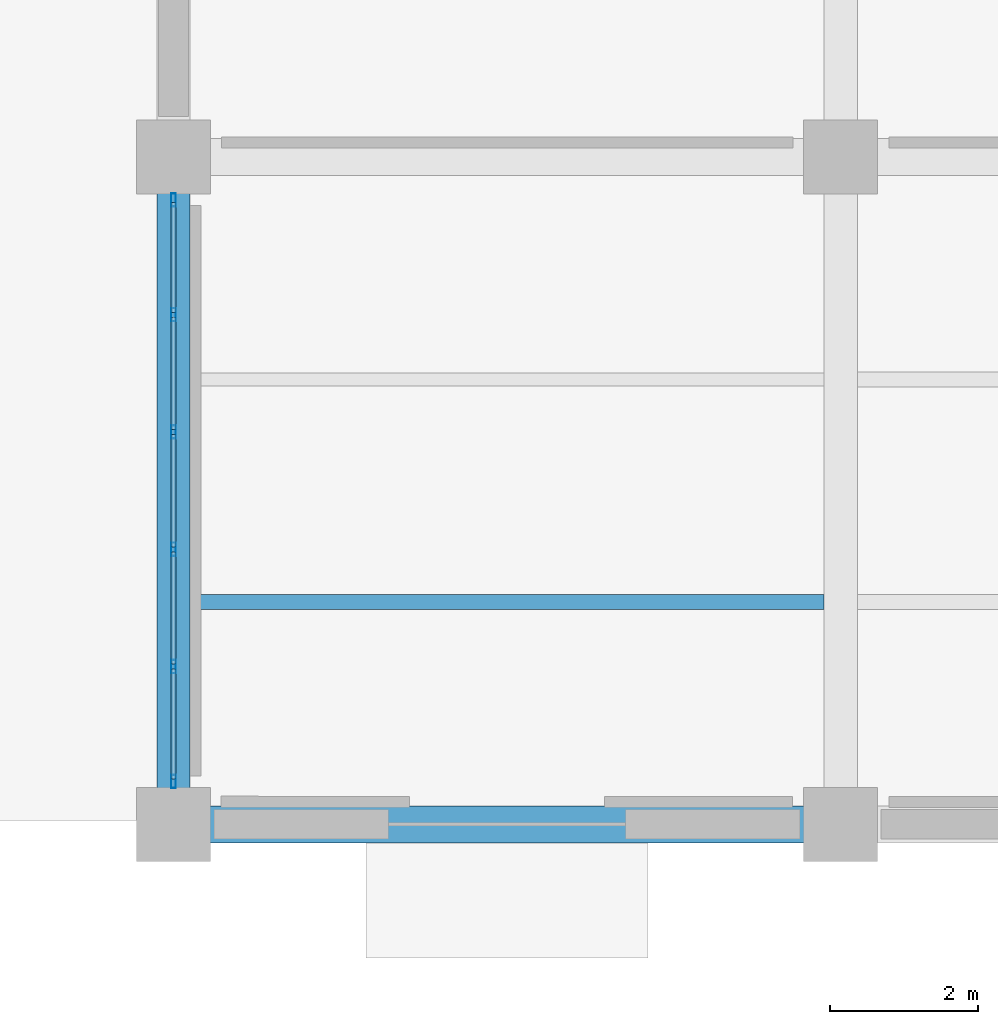
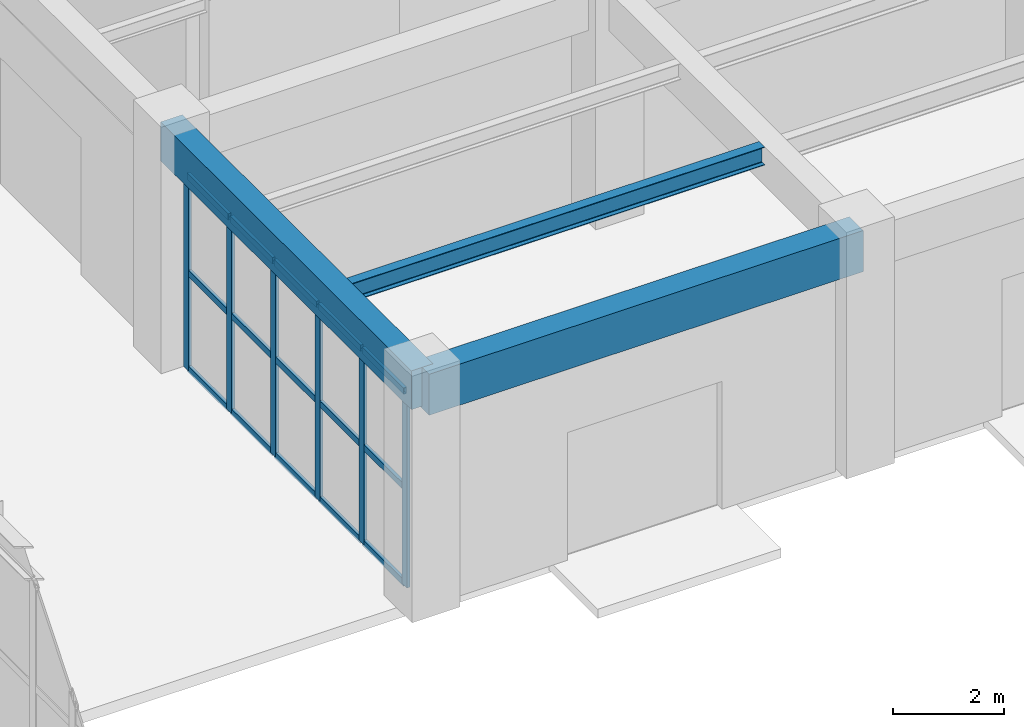
# One storey, part 35 of 140: 21 members, 3 beams, 1 element without a shape of its own.
"""IFC4 building model written with IfcOpenShell, lengths in metres."""

from ifc_helpers import new_model, si_unit, direction, frame, origin, origin_2d, place, context, subcontext, project, spatial, rectangle, hollow_rectangle, i_section, extrude, material, material_profile, profile_set, type_object, element, aggregate, save


model = new_model("IFC4")

# Units and contexts
model_context = context("Model", 3, precision=1e-05, world=origin(), true_north=direction((0.0, 1.0)))
body_context = subcontext(model_context, "Body", "Model", "MODEL_VIEW")
ifc_project = project(units=[si_unit("LENGTHUNIT", "METRE"), si_unit("AREAUNIT", "SQUARE_METRE"), si_unit("VOLUMEUNIT", "CUBIC_METRE"), si_unit("PLANEANGLEUNIT", "RADIAN"), si_unit("MASSUNIT", "GRAM", prefix="KILO")], contexts=[model_context])

# Site, building, storey
site_placement = place(None, origin())
site = spatial("IfcSite", under=ifc_project, at=site_placement, CompositionType="ELEMENT")
building_placement = place(site_placement, origin())
building = spatial("IfcBuilding", under=site, at=building_placement, Name="Haizhuo Lancet Aquarium", CompositionType="ELEMENT")
storey_placement = place(building_placement, origin())
storey = spatial("IfcBuildingStorey", under=building, at=storey_placement, Name="L00", CompositionType="ELEMENT", Elevation=0.0)

# Beams
ifc_material_1 = material(Name="Concrete C40/50", Category="concrete")
ifc_material_profile_1 = material_profile(ifc_material_1, rectangle(XDim=0.449951171875, YDim=0.85009765625, at=origin_2d()), Name="RC-BM 450x850")
ifc_profile_set_1 = profile_set([ifc_material_profile_1], Name="Concrete C40/50")
beam_type_1 = type_object("IfcBeamType", Name="BM-RC-450x850", PredefinedType="BEAM", material=ifc_profile_set_1)
beam_1_placement = place(storey_placement, frame((27.0, -36.0, 4.695068359375), z_axis=(0.0, 1.0, 0.0), x_axis=(-1.0, 0.0, 0.0)))
element("IfcBeam", 1, at=beam_1_placement, inside=storey, type_object=beam_type_1, Name="L00 V3 primary girder BM-L00-V3-001", PredefinedType="BEAM", context=body_context, shape_type="SweptSolid", body=[
    extrude(rectangle(XDim=0.449951171875, YDim=0.85009765625, at=origin_2d()), origin(), (0.0, 0.0, 1.0), 9.0),
])
ifc_material_profile_2 = material_profile(ifc_material_1, rectangle(XDim=0.5, YDim=0.89990234375, at=origin_2d()), Name="RC-BM 500x900")
ifc_profile_set_2 = profile_set([ifc_material_profile_2], Name="Concrete C40/50")
beam_type_2 = type_object("IfcBeamType", Name="BM-RC-500x900", PredefinedType="BEAM", material=ifc_profile_set_2)
beam_2_placement = place(storey_placement, frame((27.0, -36.0, 4.669921875), z_axis=(1.0, 0.0, 0.0), x_axis=(0.0, 1.0, 0.0)))
element("IfcBeam", 2, at=beam_2_placement, inside=storey, type_object=beam_type_2, Name="L00 V3 primary girder BM-L00-V3-002", PredefinedType="BEAM", context=body_context, shape_type="SweptSolid", body=[
    extrude(rectangle(XDim=0.5, YDim=0.89990234375, at=origin_2d()), origin(), (0.0, 0.0, 1.0), 9.0),
])

# Curtain wall, members
ifc_material_2 = material(Name="Aluminium 6063-T6", Category="aluminium")
curtain_wall_type = type_object("IfcCurtainWallType", Name="CWO-7910x4270", PredefinedType="NOTDEFINED", material=ifc_material_2)
curtain_wall_placement = place(storey_placement, origin())
curtain_wall = element("IfcCurtainWall", 3, at=curtain_wall_placement, inside=storey, type_object=curtain_wall_type, Name="L00 curtain wall CW-V3-L00-037", PredefinedType="NOTDEFINED")
ifc_material_profile_3 = material_profile(ifc_material_2, hollow_rectangle(XDim=0.06494140625, YDim=0.179931640625, WallThickness=0.00390625, at=origin_2d()), Name="ALU-M 65x180x4")
ifc_profile_set_3 = profile_set([ifc_material_profile_3], Name="Aluminium 6063-T6")
member_type_1 = type_object("IfcMemberType", Name="CW-MUL-1", PredefinedType="MULLION", material=ifc_profile_set_3)
member_1_placement = place(storey_placement, frame((27.0, -35.422119140625, 0.0), z_axis=(0.0, 0.0, 1.0), x_axis=(-1.0, 0.0, 0.0)))
member_1 = element("IfcMember", 4, at=member_1_placement, type_object=member_type_1, Name="CWO-79x42 mullion 1", PredefinedType="MULLION", context=body_context, shape_type="SweptSolid", body=[
    extrude(hollow_rectangle(XDim=0.06494140625, YDim=0.179931640625, WallThickness=0.00390625, at=origin_2d()), origin(), (0.0, 0.0, 1.0), 4.27001953125),
])
member_2_placement = place(storey_placement, frame((27.0, -33.873046875, 0.0), z_axis=(0.0, 0.0, 1.0), x_axis=(-1.0, 0.0, 0.0)))
member_2 = element("IfcMember", 5, at=member_2_placement, type_object=member_type_1, Name="CWO-79x42 mullion 2", PredefinedType="MULLION", context=body_context, shape_type="SweptSolid", body=[
    extrude(hollow_rectangle(XDim=0.06494140625, YDim=0.179931640625, WallThickness=0.00390625, at=origin_2d()), origin(), (0.0, 0.0, 1.0), 4.27001953125),
])
member_3_placement = place(storey_placement, frame((27.0, -32.291015625, 0.0), z_axis=(0.0, 0.0, 1.0), x_axis=(-1.0, 0.0, 0.0)))
member_3 = element("IfcMember", 6, at=member_3_placement, type_object=member_type_1, Name="CWO-79x42 mullion 3", PredefinedType="MULLION", context=body_context, shape_type="SweptSolid", body=[
    extrude(hollow_rectangle(XDim=0.06494140625, YDim=0.179931640625, WallThickness=0.00390625, at=origin_2d()), origin(), (0.0, 0.0, 1.0), 4.27001953125),
])
member_4_placement = place(storey_placement, frame((27.0, -30.708984375, 0.0), z_axis=(0.0, 0.0, 1.0), x_axis=(-1.0, 0.0, 0.0)))
member_4 = element("IfcMember", 7, at=member_4_placement, type_object=member_type_1, Name="CWO-79x42 mullion 4", PredefinedType="MULLION", context=body_context, shape_type="SweptSolid", body=[
    extrude(hollow_rectangle(XDim=0.06494140625, YDim=0.179931640625, WallThickness=0.00390625, at=origin_2d()), origin(), (0.0, 0.0, 1.0), 4.27001953125),
])
member_5_placement = place(storey_placement, frame((27.0, -29.126953125, 0.0), z_axis=(0.0, 0.0, 1.0), x_axis=(-1.0, 0.0, 0.0)))
member_5 = element("IfcMember", 8, at=member_5_placement, type_object=member_type_1, Name="CWO-79x42 mullion 5", PredefinedType="MULLION", context=body_context, shape_type="SweptSolid", body=[
    extrude(hollow_rectangle(XDim=0.06494140625, YDim=0.179931640625, WallThickness=0.00390625, at=origin_2d()), origin(), (0.0, 0.0, 1.0), 4.27001953125),
])
member_6_placement = place(storey_placement, frame((27.0, -27.577880859375, 0.0), z_axis=(0.0, 0.0, 1.0), x_axis=(-1.0, 0.0, 0.0)))
member_6 = element("IfcMember", 9, at=member_6_placement, type_object=member_type_1, Name="CWO-79x42 mullion 6", PredefinedType="MULLION", context=body_context, shape_type="SweptSolid", body=[
    extrude(hollow_rectangle(XDim=0.06494140625, YDim=0.179931640625, WallThickness=0.00390625, at=origin_2d()), origin(), (0.0, 0.0, 1.0), 4.27001953125),
])
ifc_material_profile_4 = material_profile(ifc_material_2, hollow_rectangle(XDim=0.06494140625, YDim=0.139892578125, WallThickness=0.00390625, at=origin_2d()), Name="ALU-T 65x140x4")
ifc_profile_set_4 = profile_set([ifc_material_profile_4], Name="Aluminium 6063-T6")
member_type_2 = type_object("IfcMemberType", Name="CW-TRN-1", PredefinedType="NOTDEFINED", material=ifc_profile_set_4)
member_7_placement = place(storey_placement, frame((27.0, -35.389892578125, 0.032958984375), z_axis=(0.0, 1.0, 0.0), x_axis=(-1.0, 0.0, 0.0)))
member_7 = element("IfcMember", 10, at=member_7_placement, type_object=member_type_2, Name="CWO-79x42 transom 1.1", ObjectType="TRANSOM", PredefinedType="USERDEFINED", context=body_context, shape_type="SweptSolid", body=[
    extrude(hollow_rectangle(XDim=0.06494140625, YDim=0.139892578125, WallThickness=0.00390625, at=origin_2d()), origin(), (0.0, 0.0, 1.0), 1.48486328125),
])
member_8_placement = place(storey_placement, frame((27.0, -35.389892578125, 2.135009765625), z_axis=(0.0, 1.0, 0.0), x_axis=(-1.0, 0.0, 0.0)))
member_8 = element("IfcMember", 11, at=member_8_placement, type_object=member_type_2, Name="CWO-79x42 transom 1.2", ObjectType="TRANSOM", PredefinedType="USERDEFINED", context=body_context, shape_type="SweptSolid", body=[
    extrude(hollow_rectangle(XDim=0.06494140625, YDim=0.139892578125, WallThickness=0.00390625, at=origin_2d()), origin(), (0.0, 0.0, 1.0), 1.48486328125),
])
member_9_placement = place(storey_placement, frame((27.0, -35.389892578125, 4.237060546875), z_axis=(0.0, 1.0, 0.0), x_axis=(-1.0, 0.0, 0.0)))
member_9 = element("IfcMember", 12, at=member_9_placement, type_object=member_type_2, Name="CWO-79x42 transom 1.3", ObjectType="TRANSOM", PredefinedType="USERDEFINED", context=body_context, shape_type="SweptSolid", body=[
    extrude(hollow_rectangle(XDim=0.06494140625, YDim=0.139892578125, WallThickness=0.00390625, at=origin_2d()), origin(), (0.0, 0.0, 1.0), 1.48486328125),
])
member_10_placement = place(storey_placement, frame((27.0, -33.840087890625, 0.032958984375), z_axis=(0.0, 1.0, 0.0), x_axis=(-1.0, 0.0, 0.0)))
member_10 = element("IfcMember", 13, at=member_10_placement, type_object=member_type_2, Name="CWO-79x42 transom 2.1", ObjectType="TRANSOM", PredefinedType="USERDEFINED", context=body_context, shape_type="SweptSolid", body=[
    extrude(hollow_rectangle(XDim=0.06494140625, YDim=0.139892578125, WallThickness=0.00390625, at=origin_2d()), origin(), (0.0, 0.0, 1.0), 1.51611328125),
])
member_11_placement = place(storey_placement, frame((27.0, -33.840087890625, 2.135009765625), z_axis=(0.0, 1.0, 0.0), x_axis=(-1.0, 0.0, 0.0)))
member_11 = element("IfcMember", 14, at=member_11_placement, type_object=member_type_2, Name="CWO-79x42 transom 2.2", ObjectType="TRANSOM", PredefinedType="USERDEFINED", context=body_context, shape_type="SweptSolid", body=[
    extrude(hollow_rectangle(XDim=0.06494140625, YDim=0.139892578125, WallThickness=0.00390625, at=origin_2d()), origin(), (0.0, 0.0, 1.0), 1.51611328125),
])
member_12_placement = place(storey_placement, frame((27.0, -33.840087890625, 4.237060546875), z_axis=(0.0, 1.0, 0.0), x_axis=(-1.0, 0.0, 0.0)))
member_12 = element("IfcMember", 15, at=member_12_placement, type_object=member_type_2, Name="CWO-79x42 transom 2.3", ObjectType="TRANSOM", PredefinedType="USERDEFINED", context=body_context, shape_type="SweptSolid", body=[
    extrude(hollow_rectangle(XDim=0.06494140625, YDim=0.139892578125, WallThickness=0.00390625, at=origin_2d()), origin(), (0.0, 0.0, 1.0), 1.51611328125),
])
member_13_placement = place(storey_placement, frame((27.0, -32.258056640625, 0.032958984375), z_axis=(0.0, 1.0, 0.0), x_axis=(-1.0, 0.0, 0.0)))
member_13 = element("IfcMember", 16, at=member_13_placement, type_object=member_type_2, Name="CWO-79x42 transom 3.1", ObjectType="TRANSOM", PredefinedType="USERDEFINED", context=body_context, shape_type="SweptSolid", body=[
    extrude(hollow_rectangle(XDim=0.06494140625, YDim=0.139892578125, WallThickness=0.00390625, at=origin_2d()), origin(), (0.0, 0.0, 1.0), 1.51708984375),
])
member_14_placement = place(storey_placement, frame((27.0, -32.258056640625, 2.135009765625), z_axis=(0.0, 1.0, 0.0), x_axis=(-1.0, 0.0, 0.0)))
member_14 = element("IfcMember", 17, at=member_14_placement, type_object=member_type_2, Name="CWO-79x42 transom 3.2", ObjectType="TRANSOM", PredefinedType="USERDEFINED", context=body_context, shape_type="SweptSolid", body=[
    extrude(hollow_rectangle(XDim=0.06494140625, YDim=0.139892578125, WallThickness=0.00390625, at=origin_2d()), origin(), (0.0, 0.0, 1.0), 1.51708984375),
])
member_15_placement = place(storey_placement, frame((27.0, -32.258056640625, 4.237060546875), z_axis=(0.0, 1.0, 0.0), x_axis=(-1.0, 0.0, 0.0)))
member_15 = element("IfcMember", 18, at=member_15_placement, type_object=member_type_2, Name="CWO-79x42 transom 3.3", ObjectType="TRANSOM", PredefinedType="USERDEFINED", context=body_context, shape_type="SweptSolid", body=[
    extrude(hollow_rectangle(XDim=0.06494140625, YDim=0.139892578125, WallThickness=0.00390625, at=origin_2d()), origin(), (0.0, 0.0, 1.0), 1.51708984375),
])
member_16_placement = place(storey_placement, frame((27.0, -30.677001953125, 0.032958984375), z_axis=(0.0, 1.0, 0.0), x_axis=(-1.0, 0.0, 0.0)))
member_16 = element("IfcMember", 19, at=member_16_placement, type_object=member_type_2, Name="CWO-79x42 transom 4.1", ObjectType="TRANSOM", PredefinedType="USERDEFINED", context=body_context, shape_type="SweptSolid", body=[
    extrude(hollow_rectangle(XDim=0.06494140625, YDim=0.139892578125, WallThickness=0.00390625, at=origin_2d()), origin(), (0.0, 0.0, 1.0), 1.51708984375),
])
member_17_placement = place(storey_placement, frame((27.0, -30.677001953125, 2.135009765625), z_axis=(0.0, 1.0, 0.0), x_axis=(-1.0, 0.0, 0.0)))
member_17 = element("IfcMember", 20, at=member_17_placement, type_object=member_type_2, Name="CWO-79x42 transom 4.2", ObjectType="TRANSOM", PredefinedType="USERDEFINED", context=body_context, shape_type="SweptSolid", body=[
    extrude(hollow_rectangle(XDim=0.06494140625, YDim=0.139892578125, WallThickness=0.00390625, at=origin_2d()), origin(), (0.0, 0.0, 1.0), 1.51708984375),
])
member_18_placement = place(storey_placement, frame((27.0, -30.677001953125, 4.237060546875), z_axis=(0.0, 1.0, 0.0), x_axis=(-1.0, 0.0, 0.0)))
member_18 = element("IfcMember", 21, at=member_18_placement, type_object=member_type_2, Name="CWO-79x42 transom 4.3", ObjectType="TRANSOM", PredefinedType="USERDEFINED", context=body_context, shape_type="SweptSolid", body=[
    extrude(hollow_rectangle(XDim=0.06494140625, YDim=0.139892578125, WallThickness=0.00390625, at=origin_2d()), origin(), (0.0, 0.0, 1.0), 1.51708984375),
])
member_19_placement = place(storey_placement, frame((27.0, -29.094970703125, 0.032958984375), z_axis=(0.0, 1.0, 0.0), x_axis=(-1.0, 0.0, 0.0)))
member_19 = element("IfcMember", 22, at=member_19_placement, type_object=member_type_2, Name="CWO-79x42 transom 5.1", ObjectType="TRANSOM", PredefinedType="USERDEFINED", context=body_context, shape_type="SweptSolid", body=[
    extrude(hollow_rectangle(XDim=0.06494140625, YDim=0.139892578125, WallThickness=0.00390625, at=origin_2d()), origin(), (0.0, 0.0, 1.0), 1.48486328125),
])
member_20_placement = place(storey_placement, frame((27.0, -29.094970703125, 2.135009765625), z_axis=(0.0, 1.0, 0.0), x_axis=(-1.0, 0.0, 0.0)))
member_20 = element("IfcMember", 23, at=member_20_placement, type_object=member_type_2, Name="CWO-79x42 transom 5.2", ObjectType="TRANSOM", PredefinedType="USERDEFINED", context=body_context, shape_type="SweptSolid", body=[
    extrude(hollow_rectangle(XDim=0.06494140625, YDim=0.139892578125, WallThickness=0.00390625, at=origin_2d()), origin(), (0.0, 0.0, 1.0), 1.48486328125),
])
member_21_placement = place(storey_placement, frame((27.0, -29.094970703125, 4.237060546875), z_axis=(0.0, 1.0, 0.0), x_axis=(-1.0, 0.0, 0.0)))
member_21 = element("IfcMember", 24, at=member_21_placement, type_object=member_type_2, Name="CWO-79x42 transom 5.3", ObjectType="TRANSOM", PredefinedType="USERDEFINED", context=body_context, shape_type="SweptSolid", body=[
    extrude(hollow_rectangle(XDim=0.06494140625, YDim=0.139892578125, WallThickness=0.00390625, at=origin_2d()), origin(), (0.0, 0.0, 1.0), 1.48486328125),
])
aggregate(curtain_wall, [member_1, member_2, member_3, member_4, member_5, member_6, member_7, member_8, member_9, member_10, member_11, member_12, member_13, member_14, member_15, member_16, member_17, member_18, member_19, member_20, member_21])

# Beam
ifc_material_3 = material(Name="Steel S355", Category="steel")
ifc_material_profile_5 = material_profile(ifc_material_3, i_section(OverallWidth=0.199951171875, OverallDepth=0.39990234375, WebThickness=0.008056640625, FlangeThickness=0.012939453125, FilletRadius=0.01611328125, at=origin_2d()), Name="HN 400x200x8x13")
ifc_profile_set_5 = profile_set([ifc_material_profile_5], Name="Steel S355")
beam_type_3 = type_object("IfcBeamType", Name="JST-ST-HN400", PredefinedType="JOIST", material=ifc_profile_set_5)
beam_3_placement = place(storey_placement, frame((27.22509765625, -33.0, 4.919921875), z_axis=(1.0, 0.0, 0.0), x_axis=(0.0, 1.0, 0.0)))
element("IfcBeam", 25, at=beam_3_placement, inside=storey, type_object=beam_type_3, Name="L00 V3 secondary floor joist 1", PredefinedType="JOIST", context=body_context, shape_type="SweptSolid", body=[
    extrude(i_section(OverallWidth=0.199951171875, OverallDepth=0.39990234375, WebThickness=0.008056640625, FlangeThickness=0.012939453125, FilletRadius=0.01611328125, at=origin_2d()), origin(), (0.0, 0.0, 1.0), 8.5498046875),
])

save(model, "model.ifc")
